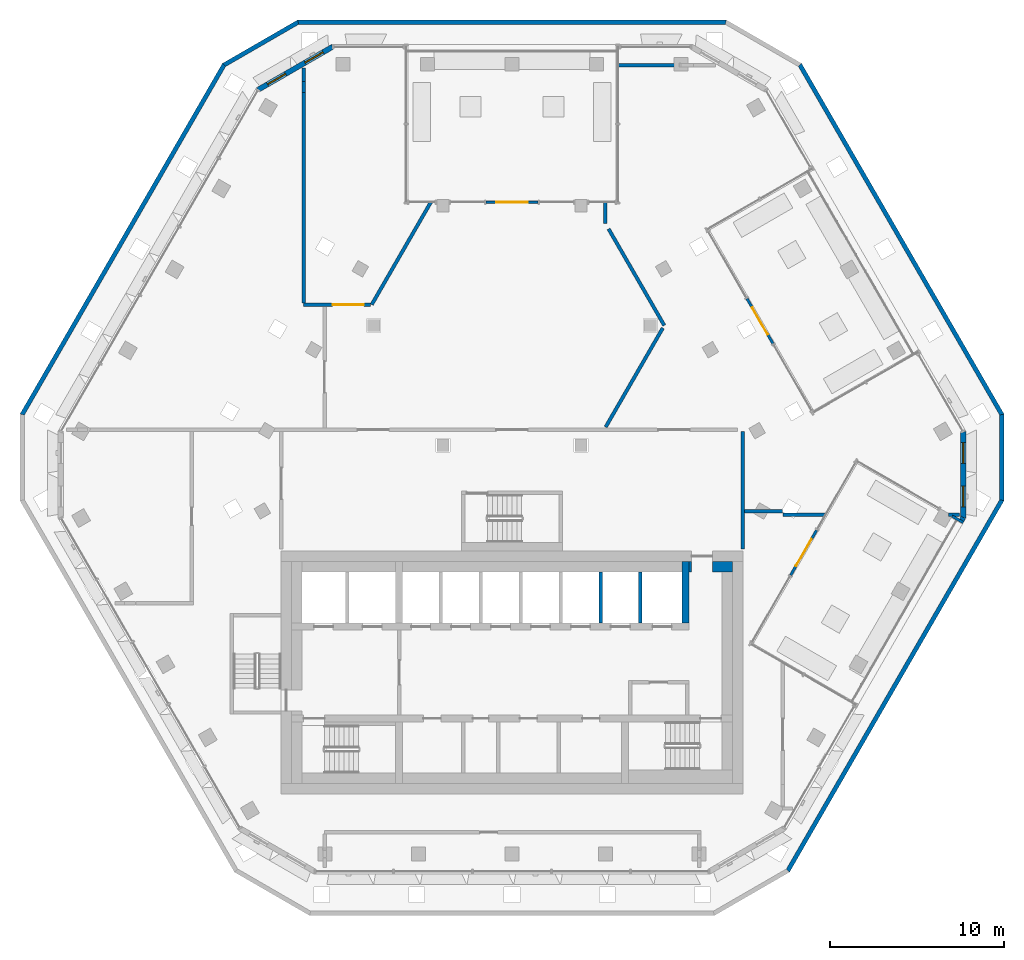
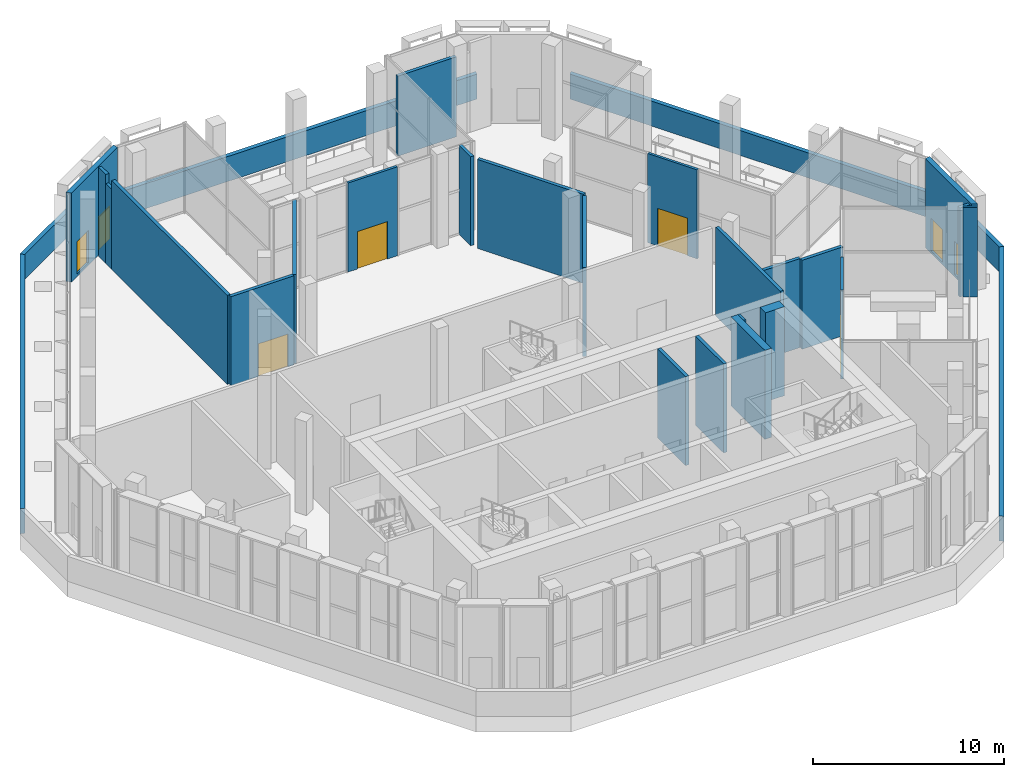
# One storey, part 11 of 23: 31 walls, 4 doors, 4 windows, 8 openings.
"""IFC4 building model written with IfcOpenShell, lengths in metres."""

from ifc_helpers import new_model, si_unit, direction, frame, frame_2d, origin, place, context, subcontext, project, spatial, polyline, rectangle, outline, extrude, material, layer, layer_set, type_object, element, fill, save


model = new_model("IFC4")

# Units and contexts
model_context = context("Model", 3, precision=1e-05, world=origin(), true_north=direction((0.0, 1.0)))
body_context = subcontext(model_context, "Body", "Model", "MODEL_VIEW")
ifc_project = project(units=[si_unit("LENGTHUNIT", "METRE"), si_unit("AREAUNIT", "SQUARE_METRE"), si_unit("VOLUMEUNIT", "CUBIC_METRE"), si_unit("PLANEANGLEUNIT", "RADIAN"), si_unit("MASSUNIT", "GRAM", prefix="KILO")], contexts=[model_context])

# Site, building, storey
site_placement = place(None, origin())
site = spatial("IfcSite", under=ifc_project, at=site_placement, CompositionType="ELEMENT")
building_placement = place(site_placement, origin())
building = spatial("IfcBuilding", under=site, at=building_placement, Name="Beryl Residences", CompositionType="ELEMENT")
storey_placement = place(building_placement, frame((0.0, 0.0, 157.199951171875)))
storey = spatial("IfcBuildingStorey", under=building, at=storey_placement, Name="L48", CompositionType="ELEMENT", Elevation=157.199951171875)

# Wall, openings, windows
ifc_material_1 = material(Name="Composite metal panel with mineral wool insulation")
ifc_layer_1 = layer(ifc_material_1, 0.300048828125)
ifc_layer_set_1 = layer_set([ifc_layer_1], Name="ES1 pale metal composite panel wall 300 mm")
wall_type_1 = type_object("IfcWallType", Name="ES1 pale metal composite panel wall 300 mm", PredefinedType="SOLIDWALL", material=ifc_layer_set_1)
wall_1_placement = place(storey_placement, frame((-10.31689453125, 24.070068359375, 0.0), z_axis=(0.0, 0.0, 1.0), x_axis=(-0.866022959057, -0.500004234368, 0.0)))
wall_1 = element("IfcWall", 1, at=wall_1_placement, inside=storey, type_object=wall_type_1, Name="ES1 external wall L48 N-NW", PredefinedType="SOLIDWALL", context=body_context, shape_type="SweptSolid", body=[
    extrude(outline(polyline([(0.0, -0.14990234375), (5.0, -0.14990234375), (4.919677734375, 0.14990234375), (0.080322265625, 0.14990234375), (0.0, -0.14990234375)])), origin(), (0.0, 0.0, 1.0), 5.699951171875),
])
opening_1_placement = place(wall_1_placement, frame((0.64990234375, 0.0, 0.14990234375)))
opening_1 = element("IfcOpeningElement", 2, at=opening_1_placement, cuts=wall_1, Name="Opening W2", PredefinedType="OPENING", context=body_context, shape_type="SweptSolid", body=[
    extrude(rectangle(XDim=1.199951171875, YDim=2.10009765625, at=frame_2d((0.60009765625, 1.050048828125))), frame((0.0, 0.159912109375, 0.0), z_axis=(0.0, -1.0, 0.0), x_axis=(1.0, 0.0, 0.0)), (0.0, 0.0, 1.0), 0.320068359375),
])
opening_2_placement = place(wall_1_placement, frame((3.14892578125, 0.0, 0.14990234375)))
opening_2 = element("IfcOpeningElement", 3, at=opening_2_placement, cuts=wall_1, Name="Opening W2", PredefinedType="OPENING", context=body_context, shape_type="SweptSolid", body=[
    extrude(rectangle(XDim=1.199951171875, YDim=2.10009765625, at=frame_2d((0.60009765625, 1.050048828125))), frame((0.0, 0.159912109375, 0.0), z_axis=(0.0, -1.0, 0.0), x_axis=(1.0, 0.0, 0.0)), (0.0, 0.0, 1.0), 0.320068359375),
])
ifc_material_2 = material(Name="Aluminium and clear glass", Category="aluminium")
window_type = type_object("IfcWindowType", Name="W2 chamfer window 1200 x 2100 mm", PartitioningType="SINGLE_PANEL", PredefinedType="WINDOW", material=ifc_material_2)
window_1_placement = place(opening_1_placement, origin())
window_1 = element("IfcWindow", 4, at=window_1_placement, inside=storey, type_object=window_type, Name="W2 window L48 N-NW 1", OverallHeight=2.10009765625, OverallWidth=1.199951171875, PartitioningType="SINGLE_PANEL", PredefinedType="WINDOW", context=body_context, shape_type="SweptSolid", body=[
    extrude(rectangle(XDim=1.199951171875, YDim=2.10009765625, at=frame_2d((0.60009765625, 1.050048828125))), frame((0.0, 0.030029296875, 0.0), z_axis=(0.0, -1.0, 0.0), x_axis=(1.0, 0.0, 0.0)), (0.0, 0.0, 1.0), 0.06005859375),
])
fill(opening_1, window_1)
window_2_placement = place(opening_2_placement, origin())
window_2 = element("IfcWindow", 5, at=window_2_placement, inside=storey, type_object=window_type, Name="W2 window L48 N-NW 2", OverallHeight=2.10009765625, OverallWidth=1.199951171875, PartitioningType="SINGLE_PANEL", PredefinedType="WINDOW", context=body_context, shape_type="SweptSolid", body=[
    extrude(rectangle(XDim=1.199951171875, YDim=2.10009765625, at=frame_2d((0.60009765625, 1.050048828125))), frame((0.0, 0.030029296875, 0.0), z_axis=(0.0, -1.0, 0.0), x_axis=(1.0, 0.0, 0.0)), (0.0, 0.0, 1.0), 0.06005859375),
])
fill(opening_2, window_2)

# Wall
wall_2_placement = place(storey_placement, frame((25.910888671875, -3.219970703125, 0.0), z_axis=(0.0, 0.0, 1.0), x_axis=(0.498843983803, 0.866691802098, 0.0)))
element("IfcWall", 6, at=wall_2_placement, inside=storey, type_object=wall_type_1, Name="ES1 external wall L48 SE pier", PredefinedType="SOLIDWALL", context=body_context, shape_type="SweptSolid", body=[
    extrude(rectangle(XDim=0.1845703125, YDim=0.300048828125, at=frame_2d((0.09228515625, 0.0))), origin(), (0.0, 0.0, 1.0), 5.699951171875),
])

# Wall, openings, windows
wall_3_placement = place(storey_placement, frame((26.00390625, -3.10009765625, 0.0), z_axis=(0.0, 0.0, 1.0), x_axis=(0.0, 1.0, 0.0)))
wall_3 = element("IfcWall", 7, at=wall_3_placement, inside=storey, type_object=wall_type_1, Name="ES1 external wall L48 SE-NE", PredefinedType="SOLIDWALL", context=body_context, shape_type="SweptSolid", body=[
    extrude(outline(polyline([(0.0, -0.14990234375), (5.0, -0.14990234375), (4.919677734375, 0.14990234375), (0.080322265625, 0.14990234375), (0.0, -0.14990234375)])), origin(), (0.0, 0.0, 1.0), 5.699951171875),
])
opening_3_placement = place(wall_3_placement, frame((0.64990234375, 0.0, 0.14990234375)))
opening_3 = element("IfcOpeningElement", 8, at=opening_3_placement, cuts=wall_3, Name="Opening W2", PredefinedType="OPENING", context=body_context, shape_type="SweptSolid", body=[
    extrude(rectangle(XDim=1.199951171875, YDim=2.10009765625, at=frame_2d((0.60009765625, 1.050048828125))), frame((0.0, 0.159912109375, 0.0), z_axis=(0.0, -1.0, 0.0), x_axis=(1.0, 0.0, 0.0)), (0.0, 0.0, 1.0), 0.320068359375),
])
opening_4_placement = place(wall_3_placement, frame((3.14990234375, 0.0, 0.14990234375)))
opening_4 = element("IfcOpeningElement", 9, at=opening_4_placement, cuts=wall_3, Name="Opening W2", PredefinedType="OPENING", context=body_context, shape_type="SweptSolid", body=[
    extrude(rectangle(XDim=1.199951171875, YDim=2.10009765625, at=frame_2d((0.60009765625, 1.050048828125))), frame((0.0, 0.159912109375, 0.0), z_axis=(0.0, -1.0, 0.0), x_axis=(1.0, 0.0, 0.0)), (0.0, 0.0, 1.0), 0.320068359375),
])
window_3_placement = place(opening_3_placement, origin())
window_3 = element("IfcWindow", 10, at=window_3_placement, inside=storey, type_object=window_type, Name="W2 window L48 SE-NE 1", OverallHeight=2.10009765625, OverallWidth=1.199951171875, PartitioningType="SINGLE_PANEL", PredefinedType="WINDOW", context=body_context, shape_type="SweptSolid", body=[
    extrude(rectangle(XDim=1.199951171875, YDim=2.10009765625, at=frame_2d((0.60009765625, 1.050048828125))), frame((0.0, 0.030029296875, 0.0), z_axis=(0.0, -1.0, 0.0), x_axis=(1.0, 0.0, 0.0)), (0.0, 0.0, 1.0), 0.06005859375),
])
fill(opening_3, window_3)
window_4_placement = place(opening_4_placement, origin())
window_4 = element("IfcWindow", 11, at=window_4_placement, inside=storey, type_object=window_type, Name="W2 window L48 SE-NE 2", OverallHeight=2.10009765625, OverallWidth=1.199951171875, PartitioningType="SINGLE_PANEL", PredefinedType="WINDOW", context=body_context, shape_type="SweptSolid", body=[
    extrude(rectangle(XDim=1.199951171875, YDim=2.10009765625, at=frame_2d((0.60009765625, 1.050048828125))), frame((0.0, 0.030029296875, 0.0), z_axis=(0.0, -1.0, 0.0), x_axis=(1.0, 0.0, 0.0)), (0.0, 0.0, 1.0), 0.06005859375),
])
fill(opening_4, window_4)

# Wall, opening, door
ifc_material_3 = material(Name="Aluminium framed insulated wall", Category="aluminium")
ifc_layer_2 = layer(ifc_material_3, 0.14990234375)
ifc_layer_set_2 = layer_set([ifc_layer_2], Name="GW1 glazed door wall 150 mm")
wall_type_2 = type_object("IfcWallType", Name="GW1 glazed door wall 150 mm", PredefinedType="SOLIDWALL", material=ifc_layer_set_2)
wall_4_placement = place(storey_placement, frame((1.5, 15.10009765625, 0.0), z_axis=(0.0, 0.0, 1.0), x_axis=(-1.0, 0.0, 0.0)))
wall_4 = element("IfcWall", 12, at=wall_4_placement, inside=storey, type_object=wall_type_2, Name="GW1 door wall L48 N", PredefinedType="SOLIDWALL", context=body_context, shape_type="SweptSolid", body=[
    extrude(rectangle(XDim=3.0, YDim=0.14990234375, at=frame_2d((1.5, 0.0))), origin(), (0.0, 0.0, 1.0), 5.699951171875),
])
opening_5_placement = place(wall_4_placement, frame((0.60009765625, 0.0, 0.0)))
opening_5 = element("IfcOpeningElement", 13, at=opening_5_placement, cuts=wall_4, Name="Opening SD3", PredefinedType="OPENING", context=body_context, shape_type="SweptSolid", body=[
    extrude(rectangle(XDim=1.800048828125, YDim=2.39990234375, at=frame_2d((0.89990234375, 1.199951171875))), frame((0.0, 0.0849609375, 0.0), z_axis=(0.0, -1.0, 0.0), x_axis=(1.0, 0.0, 0.0)), (0.0, 0.0, 1.0), 0.169921875),
])
ifc_material_4 = material(Name="Aluminium and clear glass", Category="aluminium")
door_type_1 = type_object("IfcDoorType", Name="SD3 sliding glass door 1800 x 2400 mm", OperationType="SLIDING_TO_LEFT", PredefinedType="DOOR", material=ifc_material_4)
door_1_placement = place(opening_5_placement, origin())
door_1 = element("IfcDoor", 14, at=door_1_placement, inside=storey, type_object=door_type_1, Name="SD3 garden door L48 N", OperationType="SLIDING_TO_LEFT", OverallHeight=2.39990234375, OverallWidth=1.800048828125, PredefinedType="DOOR", context=body_context, shape_type="SweptSolid", body=[
    extrude(rectangle(XDim=1.800048828125, YDim=2.39990234375, at=frame_2d((0.89990234375, 1.199951171875))), frame((0.0, 0.02490234375, 0.0), z_axis=(0.0, -1.0, 0.0), x_axis=(1.0, 0.0, 0.0)), (0.0, 0.0, 1.0), 0.050048828125),
])
fill(opening_5, door_1)

wall_5_placement = place(storey_placement, frame((16.055908203125, -6.387939453125, 0.0), z_axis=(0.0, 0.0, 1.0), x_axis=(0.50002537861, 0.866010750942, 0.0)))
wall_5 = element("IfcWall", 15, at=wall_5_placement, inside=storey, type_object=wall_type_2, Name="GW1 door wall L48 SE", PredefinedType="SOLIDWALL", context=body_context, shape_type="SweptSolid", body=[
    extrude(rectangle(XDim=2.999755859375, YDim=0.14990234375, at=frame_2d((1.5, 0.0))), origin(), (0.0, 0.0, 1.0), 5.699951171875),
])
opening_6_placement = place(wall_5_placement, frame((0.60009765625, 0.0, 0.0)))
opening_6 = element("IfcOpeningElement", 16, at=opening_6_placement, cuts=wall_5, Name="Opening SD3", PredefinedType="OPENING", context=body_context, shape_type="SweptSolid", body=[
    extrude(rectangle(XDim=1.800048828125, YDim=2.39990234375, at=frame_2d((0.89990234375, 1.199951171875))), frame((0.0, 0.0849609375, 0.0), z_axis=(0.0, -1.0, 0.0), x_axis=(1.0, 0.0, 0.0)), (0.0, 0.0, 1.0), 0.169921875),
])
door_2_placement = place(opening_6_placement, origin())
door_2 = element("IfcDoor", 17, at=door_2_placement, inside=storey, type_object=door_type_1, Name="SD3 garden door L48 SE", OperationType="SLIDING_TO_LEFT", OverallHeight=2.39990234375, OverallWidth=1.800048828125, PredefinedType="DOOR", context=body_context, shape_type="SweptSolid", body=[
    extrude(rectangle(XDim=1.800048828125, YDim=2.39990234375, at=frame_2d((0.89990234375, 1.199951171875))), frame((0.0, 0.02490234375, 0.0), z_axis=(0.0, -1.0, 0.0), x_axis=(1.0, 0.0, 0.0)), (0.0, 0.0, 1.0), 0.050048828125),
])
fill(opening_6, door_2)

# Wall
wall_6_placement = place(storey_placement, frame((26.0029296875, -3.35888671875, 0.0), z_axis=(0.0, 0.0, 1.0), x_axis=(-0.86636022879, 0.499419617126, 0.0)))
element("IfcWall", 18, at=wall_6_placement, inside=storey, type_object=wall_type_2, Name="GW1 garden pier wall L48", PredefinedType="SOLIDWALL", context=body_context, shape_type="SweptSolid", body=[
    extrude(rectangle(XDim=0.74462890625, YDim=0.14990234375, at=frame_2d((0.372314453125, 0.0))), origin(), (0.0, 0.0, 1.0), 5.699951171875),
])

# Wall, opening, door
wall_7_placement = place(storey_placement, frame((15.0390625, 6.950927734375, 0.0), z_axis=(0.0, 0.0, 1.0), x_axis=(-0.499990139034, 0.866031096941, 0.0)))
wall_7 = element("IfcWall", 19, at=wall_7_placement, inside=storey, type_object=wall_type_2, Name="GW1 door wall L48 NE", PredefinedType="SOLIDWALL", context=body_context, shape_type="SweptSolid", body=[
    extrude(rectangle(XDim=3.0, YDim=0.14990234375, at=frame_2d((1.5, 0.0))), origin(), (0.0, 0.0, 1.0), 5.699951171875),
])
opening_7_placement = place(wall_7_placement, frame((0.60009765625, 0.0, 0.0)))
opening_7 = element("IfcOpeningElement", 20, at=opening_7_placement, cuts=wall_7, Name="Opening SD3", PredefinedType="OPENING", context=body_context, shape_type="SweptSolid", body=[
    extrude(rectangle(XDim=1.800048828125, YDim=2.39990234375, at=frame_2d((0.89990234375, 1.199951171875))), frame((0.0, 0.0849609375, 0.0), z_axis=(0.0, -1.0, 0.0), x_axis=(1.0, 0.0, 0.0)), (0.0, 0.0, 1.0), 0.169921875),
])
door_3_placement = place(opening_7_placement, origin())
door_3 = element("IfcDoor", 21, at=door_3_placement, inside=storey, type_object=door_type_1, Name="SD3 garden door L48 NE", OperationType="SLIDING_TO_LEFT", OverallHeight=2.39990234375, OverallWidth=1.800048828125, PredefinedType="DOOR", context=body_context, shape_type="SweptSolid", body=[
    extrude(rectangle(XDim=1.800048828125, YDim=2.39990234375, at=frame_2d((0.89990234375, 1.199951171875))), frame((0.0, 0.02490234375, 0.0), z_axis=(0.0, -1.0, 0.0), x_axis=(1.0, 0.0, 0.0)), (0.0, 0.0, 1.0), 0.050048828125),
])
fill(opening_7, door_3)

# Walls
ifc_material_5 = material(Name="Precast concrete C40/50", Category="concrete")
ifc_layer_3 = layer(ifc_material_5, 0.25)
ifc_layer_set_3 = layer_set([ifc_layer_3], Name="PA1 roof parapet 250 mm")
wall_type_3 = type_object("IfcWallType", Name="PA1 roof parapet 250 mm", PredefinedType="PARAPET", material=ifc_layer_set_3)
wall_8_placement = place(storey_placement, frame((16.575927734375, 23.037109375, 0.0), z_axis=(0.0, 0.0, 1.0), x_axis=(0.500065532695, -0.865987565159, 0.0)))
element("IfcWall", 22, at=wall_8_placement, inside=storey, type_object=wall_type_3, Name="PA1 parapet L48 strip 2", PredefinedType="PARAPET", context=body_context, shape_type="SweptSolid", body=[
    extrude(outline(polyline([(0.06689453125, -0.125), (23.258056640625, -0.125), (23.324951171875, 0.125), (0.0, 0.125), (0.06689453125, -0.125)])), origin(), (0.0, 0.0, 1.0), 1.60009765625),
])
wall_9_placement = place(storey_placement, frame((28.222900390625, 2.89990234375, 0.0), z_axis=(0.0, 0.0, 1.0), x_axis=(0.0, -1.0, 0.0)))
element("IfcWall", 23, at=wall_9_placement, inside=storey, type_object=wall_type_3, Name="PA1 parapet L48 strip 3", PredefinedType="PARAPET", context=body_context, shape_type="SweptSolid", body=[
    extrude(outline(polyline([(0.06689453125, -0.125), (4.93310546875, -0.125), (5.0, 0.125), (0.0, 0.125), (0.06689453125, -0.125)])), origin(), (0.0, 0.0, 1.0), 1.60009765625),
])
wall_10_placement = place(storey_placement, frame((28.239990234375, -2.0380859375, 0.0), z_axis=(0.0, 0.0, 1.0), x_axis=(-0.500068533128, -0.865985832549, 0.0)))
element("IfcWall", 24, at=wall_10_placement, inside=storey, type_object=wall_type_3, Name="PA1 parapet L48 strip 4", PredefinedType="PARAPET", context=body_context, shape_type="SweptSolid", body=[
    extrude(outline(polyline([(0.06689453125, -0.125), (24.6435546875, -0.125), (24.71044921875, 0.125), (0.0, 0.125), (0.06689453125, -0.125)])), origin(), (0.0, 0.0, 1.0), 1.60009765625),
])
wall_11_placement = place(storey_placement, frame((-28.239990234375, 2.837890625, 0.0), z_axis=(0.0, 0.0, 1.0), x_axis=(0.500065532695, 0.865987565159, 0.0)))
element("IfcWall", 25, at=wall_11_placement, inside=storey, type_object=wall_type_3, Name="PA1 parapet L48 strip 10", PredefinedType="PARAPET", context=body_context, shape_type="SweptSolid", body=[
    extrude(outline(polyline([(0.06689453125, -0.125), (23.258056640625, -0.125), (23.324951171875, 0.125), (0.0, 0.125), (0.06689453125, -0.125)])), origin(), (0.0, 0.0, 1.0), 1.60009765625),
])
wall_12_placement = place(storey_placement, frame((-16.6220703125, 22.990966796875, 0.0), z_axis=(0.0, 0.0, 1.0), x_axis=(0.865889515344, 0.500235291855, 0.0)))
element("IfcWall", 26, at=wall_12_placement, inside=storey, type_object=wall_type_3, Name="PA1 parapet L48 strip 11", PredefinedType="PARAPET", context=body_context, shape_type="SweptSolid", body=[
    extrude(outline(polyline([(0.06689453125, -0.125), (4.9326171875, -0.125), (4.99951171875, 0.125), (0.0, 0.125), (0.06689453125, -0.125)])), origin(), (0.0, 0.0, 1.0), 1.60009765625),
])
wall_13_placement = place(storey_placement, frame((-12.35595703125, 25.47509765625, 0.0), z_axis=(0.0, 0.0, 1.0), x_axis=(1.0, 0.0, 0.0)))
element("IfcWall", 27, at=wall_13_placement, inside=storey, type_object=wall_type_3, Name="PA1 parapet L48 strip 12", PredefinedType="PARAPET", context=body_context, shape_type="SweptSolid", body=[
    extrude(outline(polyline([(0.06689453125, -0.125), (24.64501953125, -0.125), (24.7119140625, 0.125), (0.0, 0.125), (0.06689453125, -0.125)])), origin(), (0.0, 0.0, 1.0), 1.60009765625),
])
ifc_material_6 = material(Name="Concrete masonry", Category="masonry")
ifc_layer_4 = layer(ifc_material_6, 0.14990234375)
ifc_layer_set_4 = layer_set([ifc_layer_4], Name="PT13-150 lobby wall 150 mm")
wall_type_4 = type_object("IfcWallType", Name="PT13-150 lobby wall 150 mm", PredefinedType="PARTITIONING", material=ifc_layer_set_4)
wall_14_placement = place(storey_placement, frame((10.27490234375, -6.199951171875, 0.0), z_axis=(0.0, 0.0, 1.0), x_axis=(0.0, 1.0, 0.0)))
element("IfcWall", 28, at=wall_14_placement, inside=storey, type_object=wall_type_4, Name="Lobby wall 28", PredefinedType="PARTITIONING", context=body_context, shape_type="SweptSolid", body=[
    extrude(rectangle(XDim=0.599853515625, YDim=0.14990234375, at=frame_2d((0.2998046875, 0.0))), origin(), (0.0, 0.0, 1.0), 5.699951171875),
])
ifc_material_7 = material(Name="Concrete masonry", Category="masonry")
ifc_layer_5 = layer(ifc_material_7, 0.60009765625)
ifc_layer_set_5 = layer_set([ifc_layer_5], Name="PT13-600 lobby wall 600 mm")
wall_type_5 = type_object("IfcWallType", Name="PT13-600 lobby wall 600 mm", PredefinedType="PARTITIONING", material=ifc_layer_set_5)
wall_15_placement = place(storey_placement, frame((11.550048828125, -5.89990234375, 0.0), z_axis=(0.0, 0.0, 1.0), x_axis=(1.0, 0.0, 0.0)))
element("IfcWall", 29, at=wall_15_placement, inside=storey, type_object=wall_type_5, Name="Lobby wall 29", PredefinedType="PARTITIONING", context=body_context, shape_type="SweptSolid", body=[
    extrude(rectangle(XDim=1.14990234375, YDim=0.60009765625, at=frame_2d((0.574951171875, 0.0))), origin(), (0.0, 0.0, 1.0), 5.699951171875),
])
ifc_material_8 = material(Name="Double stud gypsum board wall")
ifc_layer_6 = layer(ifc_material_8, 0.199951171875)
ifc_layer_set_6 = layer_set([ifc_layer_6], Name="PT4 corridor wall 200 mm double stud")
wall_type_6 = type_object("IfcWallType", Name="PT4 corridor wall 200 mm double stud", PredefinedType="PARTITIONING", material=ifc_layer_set_6)
wall_16_placement = place(storey_placement, frame((15.60009765625, -2.89599609375, 0.0), z_axis=(0.0, 0.0, 1.0), x_axis=(1.0, 0.0, 0.0)))
element("IfcWall", 30, at=wall_16_placement, inside=storey, type_object=wall_type_6, Name="Wall PT4 L48 006", PredefinedType="PARTITIONING", context=body_context, shape_type="SweptSolid", body=[
    extrude(rectangle(XDim=2.495849609375, YDim=0.199951171875, at=frame_2d((1.248046875, 0.0))), origin(), (0.0, 0.0, 1.0), 5.699951171875),
])
wall_17_placement = place(storey_placement, frame((25.159912109375, -2.89599609375, 0.0), z_axis=(0.0, 0.0, 1.0), x_axis=(1.0, 0.0, 0.0)))
element("IfcWall", 31, at=wall_17_placement, inside=storey, type_object=wall_type_6, Name="Wall PT4 L48 007", PredefinedType="PARTITIONING", context=body_context, shape_type="SweptSolid", body=[
    extrude(rectangle(XDim=0.614013671875, YDim=0.199951171875, at=frame_2d((0.30712890625, 0.0))), origin(), (0.0, 0.0, 1.0), 5.699951171875),
])
wall_18_placement = place(storey_placement, frame((13.39990234375, -2.699951171875, 0.0), z_axis=(0.0, 0.0, 1.0), x_axis=(1.0, 0.0, 0.0)))
element("IfcWall", 32, at=wall_18_placement, inside=storey, type_object=wall_type_6, Name="Wall PT4 L48 008", PredefinedType="PARTITIONING", context=body_context, shape_type="SweptSolid", body=[
    extrude(rectangle(XDim=2.2001953125, YDim=0.199951171875, at=frame_2d((1.10009765625, 0.0))), origin(), (0.0, 0.0, 1.0), 5.699951171875),
])

# Wall, opening, door
wall_19_placement = place(storey_placement, frame((-12.0, 9.199951171875, 0.0), z_axis=(0.0, 0.0, 1.0), x_axis=(1.0, 0.0, 0.0)))
wall_19 = element("IfcWall", 33, at=wall_19_placement, inside=storey, type_object=wall_type_6, Name="Wall PT4 L48 012", PredefinedType="PARTITIONING", context=body_context, shape_type="SweptSolid", body=[
    extrude(rectangle(XDim=3.8369140625, YDim=0.199951171875, at=frame_2d((1.91845703125, 0.0))), origin(), (0.0, 0.0, 1.0), 5.699951171875),
])
opening_8_placement = place(wall_19_placement, frame((1.658935546875, 0.0, 0.0)))
opening_8 = element("IfcOpeningElement", 34, at=opening_8_placement, cuts=wall_19, Name="Opening L48-01", PredefinedType="OPENING", context=body_context, shape_type="SweptSolid", body=[
    extrude(rectangle(XDim=1.800048828125, YDim=2.10009765625, at=frame_2d((0.89990234375, 1.050048828125))), frame((0.0, 0.10986328125, 0.0), z_axis=(0.0, -1.0, 0.0), x_axis=(1.0, 0.0, 0.0)), (0.0, 0.0, 1.0), 0.219970703125),
])
ifc_material_9 = material(Name="Timber door leaf", Category="wood")
door_type_2 = type_object("IfcDoorType", Name="D20 corridor door 1800 x 2100 mm", OperationType="DOUBLE_DOOR_SINGLE_SWING", PredefinedType="DOOR", material=ifc_material_9)
door_4_placement = place(opening_8_placement, origin())
door_4 = element("IfcDoor", 35, at=door_4_placement, inside=storey, type_object=door_type_2, Name="Door L48-01 L48 001", OperationType="DOUBLE_DOOR_SINGLE_SWING", OverallHeight=2.10009765625, OverallWidth=1.800048828125, PredefinedType="DOOR", context=body_context, shape_type="SweptSolid", body=[
    extrude(rectangle(XDim=1.800048828125, YDim=2.10009765625, at=frame_2d((0.89990234375, 1.050048828125))), frame((0.0, 0.02490234375, 0.0), z_axis=(0.0, -1.0, 0.0), x_axis=(1.0, 0.0, 0.0)), (0.0, 0.0, 1.0), 0.050048828125),
])
fill(opening_8, door_4)

# Walls
wall_20_placement = place(storey_placement, frame((6.080078125, 22.99609375, 0.0), z_axis=(0.0, 0.0, 1.0), x_axis=(1.0, 0.0, 0.0)))
element("IfcWall", 36, at=wall_20_placement, inside=storey, type_object=wall_type_6, Name="Wall PT4 L48 013", PredefinedType="PARTITIONING", context=body_context, shape_type="SweptSolid", body=[
    extrude(rectangle(XDim=3.558837890625, YDim=0.199951171875, at=frame_2d((1.779296875, 0.0))), origin(), (0.0, 0.0, 1.0), 5.1201171875),
])
wall_21_placement = place(storey_placement, frame((-12.0, 9.300048828125, 0.0), z_axis=(0.0, 0.0, 1.0), x_axis=(0.0, 1.0, 0.0)))
element("IfcWall", 37, at=wall_21_placement, inside=storey, type_object=wall_type_6, Name="Wall PT4 L48 019", PredefinedType="PARTITIONING", context=body_context, shape_type="SweptSolid", body=[
    extrude(rectangle(XDim=12.120849609375, YDim=0.199951171875, at=frame_2d((6.060546875, 0.0))), origin(), (0.0, 0.0, 1.0), 5.699951171875),
])
wall_22_placement = place(storey_placement, frame((-12.0, 21.4208984375, 0.0), z_axis=(0.0, 0.0, 1.0), x_axis=(0.0, 1.0, 0.0)))
element("IfcWall", 38, at=wall_22_placement, inside=storey, type_object=wall_type_6, Name="Wall PT4 L48 020", PredefinedType="PARTITIONING", context=body_context, shape_type="SweptSolid", body=[
    extrude(rectangle(XDim=0.635009765625, YDim=0.199951171875, at=frame_2d((0.3173828125, 0.0))), origin(), (0.0, 0.0, 1.0), 5.1201171875),
])
wall_23_placement = place(storey_placement, frame((-12.0, 22.055908203125, 0.0), z_axis=(0.0, 0.0, 1.0), x_axis=(0.0, 1.0, 0.0)))
element("IfcWall", 39, at=wall_23_placement, inside=storey, type_object=wall_type_6, Name="Wall PT4 L48 021", PredefinedType="PARTITIONING", context=body_context, shape_type="SweptSolid", body=[
    extrude(rectangle(XDim=0.777099609375, YDim=0.199951171875, at=frame_2d((0.388671875, 0.0))), origin(), (0.0, 0.0, 1.0), 5.699951171875),
])
wall_24_placement = place(storey_placement, frame((5.3759765625, 13.887939453125, 0.0), z_axis=(0.0, 0.0, 1.0), x_axis=(0.0, 1.0, 0.0)))
element("IfcWall", 40, at=wall_24_placement, inside=storey, type_object=wall_type_6, Name="Wall PT4 L48 027", PredefinedType="PARTITIONING", context=body_context, shape_type="SweptSolid", body=[
    extrude(rectangle(XDim=1.232177734375, YDim=0.199951171875, at=frame_2d((0.6162109375, 0.0))), origin(), (0.0, 0.0, 1.0), 5.699951171875),
])
wall_25_placement = place(storey_placement, frame((13.300048828125, -4.8798828125, 0.0), z_axis=(0.0, 0.0, 1.0), x_axis=(0.0, 1.0, 0.0)))
element("IfcWall", 41, at=wall_25_placement, inside=storey, type_object=wall_type_6, Name="Wall PT4 L48 032", PredefinedType="PARTITIONING", context=body_context, shape_type="SweptSolid", body=[
    extrude(rectangle(XDim=6.77978515625, YDim=0.199951171875, at=frame_2d((3.389892578125, 0.0))), origin(), (0.0, 0.0, 1.0), 5.699951171875),
])
wall_26_placement = place(storey_placement, frame((5.56298828125, 13.56494140625, 0.0), z_axis=(0.0, 0.0, 1.0), x_axis=(0.499996522553, -0.86602741148, 0.0)))
element("IfcWall", 42, at=wall_26_placement, inside=storey, type_object=wall_type_6, Name="Wall PT4 L48 036", PredefinedType="PARTITIONING", context=body_context, shape_type="SweptSolid", body=[
    extrude(rectangle(XDim=6.42578125, YDim=0.199951171875, at=frame_2d((3.212890625, 0.0))), origin(), (0.0, 0.0, 1.0), 5.699951171875),
])
wall_27_placement = place(storey_placement, frame((5.39599609375, 2.14697265625, 0.0), z_axis=(0.0, 0.0, 1.0), x_axis=(0.500030520673, 0.866007781949, 0.0)))
element("IfcWall", 43, at=wall_27_placement, inside=storey, type_object=wall_type_6, Name="Wall PT4 L48 037", PredefinedType="PARTITIONING", context=body_context, shape_type="SweptSolid", body=[
    extrude(rectangle(XDim=6.58544921875, YDim=0.199951171875, at=frame_2d((3.292724609375, 0.0))), origin(), (0.0, 0.0, 1.0), 5.699951171875),
])
wall_28_placement = place(storey_placement, frame((-8.0830078125, 9.199951171875, 0.0), z_axis=(0.0, 0.0, 1.0), x_axis=(0.499995535455, 0.866027981375, 0.0)))
element("IfcWall", 44, at=wall_28_placement, inside=storey, type_object=wall_type_6, Name="Wall PT4 L48 038", PredefinedType="PARTITIONING", context=body_context, shape_type="SweptSolid", body=[
    extrude(rectangle(XDim=6.8359375, YDim=0.199951171875, at=frame_2d((3.41796875, 0.0))), origin(), (0.0, 0.0, 1.0), 5.699951171875),
])
ifc_material_10 = material(Name="Concrete C40/50", Category="concrete")
ifc_layer_7 = layer(ifc_material_10, 0.199951171875)
ifc_layer_set_7 = layer_set([ifc_layer_7], Name="PT6 lift shaft wall 200 mm reinforced concrete C40/50")
wall_type_7 = type_object("IfcWallType", Name="PT6 lift shaft wall 200 mm reinforced concrete C40/50", PredefinedType="SOLIDWALL", material=ifc_layer_set_7)
for number, where, z_axis, x_axis, name in (
    (45, (5.10009765625, -9.14990234375, 0.0), (0.0, 0.0, 1.0), (0.0, 1.0, 0.0), "Lift shaft wall 22"),
    (46, (7.39990234375, -9.14990234375, 0.0), (0.0, 0.0, 1.0), (0.0, 1.0, 0.0), "Lift shaft wall 26"),
):
    element("IfcWall", number, at=place(storey_placement, frame(where, z_axis=z_axis, x_axis=x_axis)), inside=storey, type_object=wall_type_7, Name=name, PredefinedType="SOLIDWALL", context=body_context, shape_type="SweptSolid", body=[
        extrude(rectangle(XDim=2.949951171875, YDim=0.199951171875, at=frame_2d((1.47509765625, 0.0))), origin(), (0.0, 0.0, 1.0), 5.699951171875),
    ])
ifc_material_11 = material(Name="Concrete C50/60", Category="concrete")
ifc_layer_8 = layer(ifc_material_11, 0.39990234375)
ifc_layer_set_8 = layer_set([ifc_layer_8], Name="SW9 core internal wall 400 mm C50/60")
wall_type_8 = type_object("IfcWallType", Name="SW9 core internal wall 400 mm C50/60", PredefinedType="SHEAR", material=ifc_layer_set_8)
wall_29_placement = place(storey_placement, frame((10.0, -9.14990234375, 0.0), z_axis=(0.0, 0.0, 1.0), x_axis=(0.0, 1.0, 0.0)))
element("IfcWall", 47, at=wall_29_placement, inside=storey, type_object=wall_type_8, Name="Core wall XN2 L48", PredefinedType="SHEAR", context=body_context, shape_type="SweptSolid", body=[
    extrude(rectangle(XDim=3.5498046875, YDim=0.39990234375, at=frame_2d((1.77490234375, 0.0))), origin(), (0.0, 0.0, 1.0), 5.699951171875),
])

save(model, "model.ifc")
